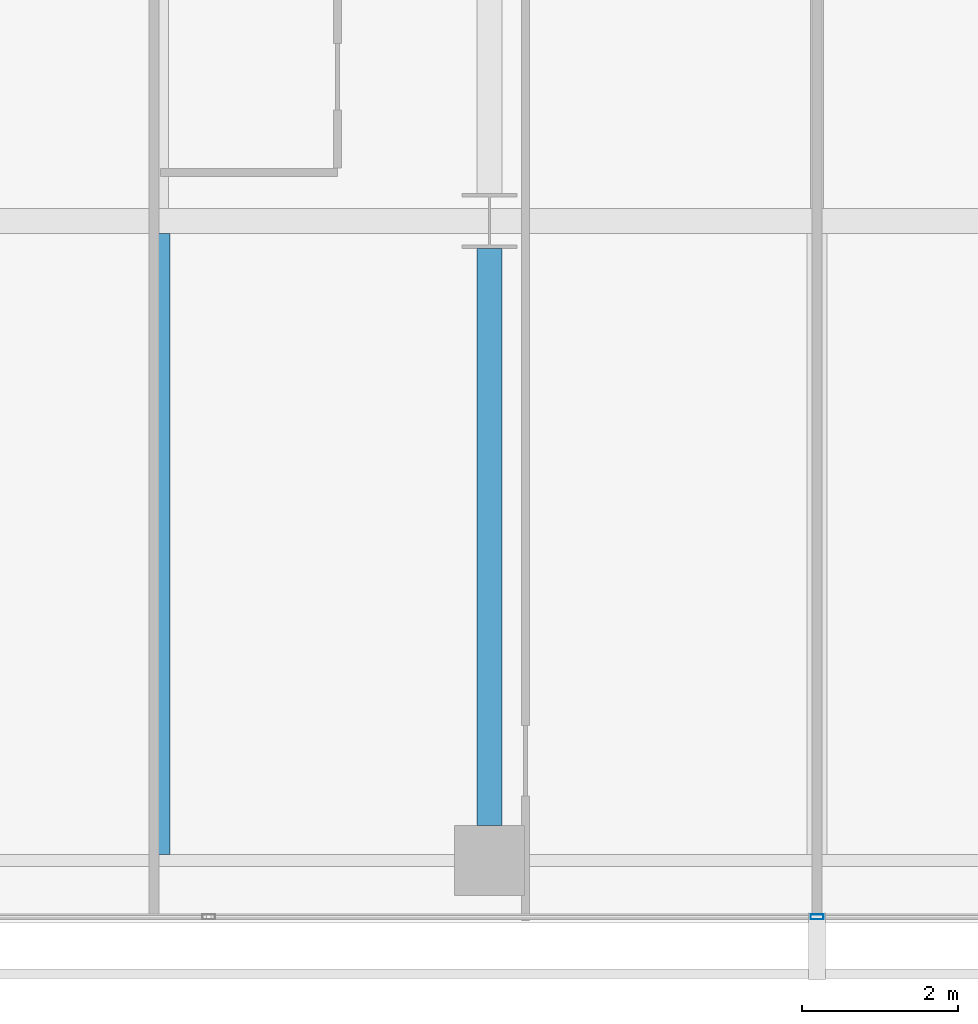
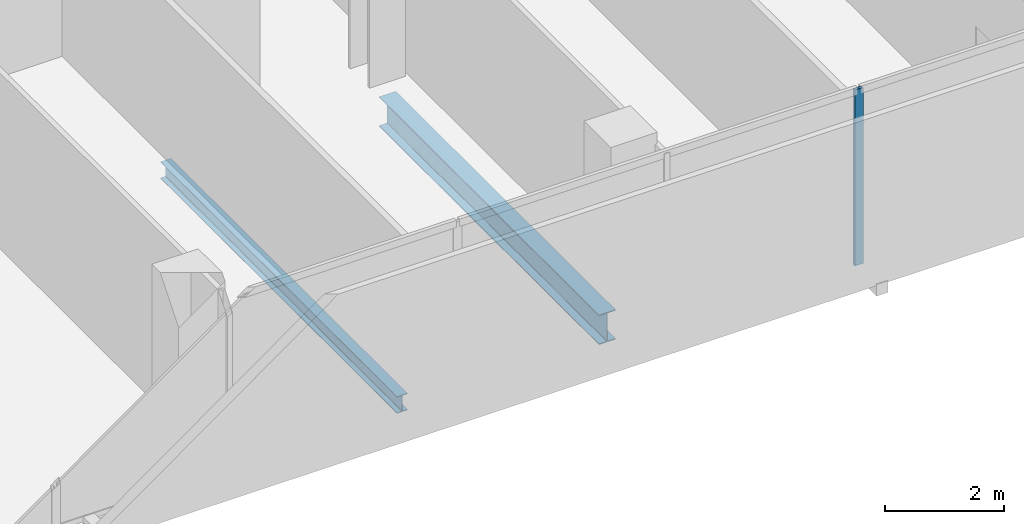
# One storey, part 8 of 40: 2 beams, 1 member, 1 element without a shape of its own.
"""IFC4 building model written with IfcOpenShell, lengths in metres."""

from ifc_helpers import new_model, si_unit, direction, frame, origin, origin_2d, place, context, subcontext, project, spatial, hollow_rectangle, i_section, extrude, material, layer, layer_set, material_profile, profile_set, type_object, element, aggregate, save


model = new_model("IFC4")

# Units and contexts
model_context = context("Model", 3, precision=1e-05, world=origin(), true_north=direction((0.0, 1.0)))
body_context = subcontext(model_context, "Body", "Model", "MODEL_VIEW")
ifc_project = project(units=[si_unit("LENGTHUNIT", "METRE"), si_unit("AREAUNIT", "SQUARE_METRE"), si_unit("VOLUMEUNIT", "CUBIC_METRE"), si_unit("PLANEANGLEUNIT", "RADIAN"), si_unit("MASSUNIT", "GRAM", prefix="KILO")], contexts=[model_context])

# Site, building, storey
site_placement = place(None, origin())
site = spatial("IfcSite", under=ifc_project, at=site_placement, CompositionType="ELEMENT")
building_placement = place(site_placement, origin())
building = spatial("IfcBuilding", under=site, at=building_placement, Name="Maruvema Waterfront Hotel and Observation Tower", CompositionType="ELEMENT")
storey_placement = place(building_placement, frame((0.0, 0.0, 88.550048828125)))
storey = spatial("IfcBuildingStorey", under=building, at=storey_placement, Name="L21", CompositionType="ELEMENT", Elevation=88.550048828125)

# Curtain wall, member
ifc_material_1 = material(Name="Anodised bronze aluminium and solar-control low-E IGU", Category="aluminium")
ifc_layer = layer(ifc_material_1, 0.159912109375, Name="Zone 1 Bronze Inner Thermal Curtain Wall System CW-02")
ifc_layer_set = layer_set([ifc_layer], Name="Anodised bronze aluminium and solar-control low-E IGU")
curtain_wall_type = type_object("IfcCurtainWallType", Name="Zone 1 Bronze Inner Thermal Curtain Wall System CW-02", PredefinedType="USERDEFINED", material=ifc_layer_set)
curtain_wall_placement = place(storey_placement, origin())
curtain_wall = element("IfcCurtainWall", 1, at=curtain_wall_placement, inside=storey, type_object=curtain_wall_type, Name="L21 Curtain Wall CW-L21-S", ObjectType="UNITISED CURTAIN WALL", PredefinedType="USERDEFINED")
ifc_material_2 = material(Name="Anodised architectural bronze aluminium", Category="aluminium")
ifc_material_profile_1 = material_profile(ifc_material_2, hollow_rectangle(XDim=0.06494140625, YDim=0.1650390625, WallThickness=0.00390625, at=origin_2d()), Name="ALU-M65x165")
ifc_profile_set_1 = profile_set([ifc_material_profile_1], Name="Anodised architectural bronze aluminium")
member_type = type_object("IfcMemberType", Name="Curtain Wall Primary Mullion ALU-M65x165", PredefinedType="MULLION", material=ifc_profile_set_1)
member_placement = place(storey_placement, frame((37.800048828125, 0.080078125, 0.0), z_axis=(0.0, 0.0, 1.0), x_axis=(0.0, 1.0, 0.0)))
member = element("IfcMember", 2, at=member_placement, type_object=member_type, Name="CW-02 mullion 4", PredefinedType="MULLION", context=body_context, shape_type="SweptSolid", body=[
    extrude(hollow_rectangle(XDim=0.06494140625, YDim=0.1650390625, WallThickness=0.00390625, at=origin_2d()), origin(), (0.0, 0.0, 1.0), 3.60986328125),
])
aggregate(curtain_wall, [member])

# Beams
ifc_material_3 = material(Name="Steel ASTM A572 Grade 50", Category="steel")
ifc_material_profile_2 = material_profile(ifc_material_3, i_section(OverallWidth=0.323974609375, OverallDepth=0.611083984375, WebThickness=0.0126953125, FlangeThickness=0.01904296875, FilletRadius=0.01806640625, at=origin_2d()), Name="W610x155.0")
ifc_profile_set_2 = profile_set([ifc_material_profile_2], Name="Steel ASTM A572 Grade 50")
beam_type_1 = type_object("IfcBeamType", Name="Primary Floor Girder W610x155.0", PredefinedType="BEAM", material=ifc_profile_set_2)
beam_1_placement = place(storey_placement, frame((33.60009765625, 1.25, -0.545654296875), z_axis=(0.0, 1.0, 0.0), x_axis=(-1.0, 0.0, 0.0)))
element("IfcBeam", 3, at=beam_1_placement, inside=storey, type_object=beam_type_1, Name="L21 Floor Girder NS-16", PredefinedType="BEAM", context=body_context, shape_type="SweptSolid", body=[
    extrude(i_section(OverallWidth=0.323974609375, OverallDepth=0.611083984375, WebThickness=0.0126953125, FlangeThickness=0.01904296875, FilletRadius=0.01806640625, at=origin_2d()), origin(), (0.0, 0.0, 1.0), 7.39990234375),
])
ifc_material_4 = material(Name="Steel ASTM A572 Grade 50", Category="steel")
ifc_material_profile_3 = material_profile(ifc_material_4, i_section(OverallWidth=0.202880859375, OverallDepth=0.346923828125, WebThickness=0.0078125, FlangeThickness=0.013427734375, FilletRadius=0.014892578125, at=origin_2d()), Name="W360x64.0")
ifc_profile_set_3 = profile_set([ifc_material_profile_3], Name="Steel ASTM A572 Grade 50")
beam_type_2 = type_object("IfcBeamType", Name="Secondary Floor Joist W360x64.0", PredefinedType="JOIST", material=ifc_profile_set_3)
beam_2_placement = place(storey_placement, frame((29.39990234375, 0.87646484375, -0.41357421875), z_axis=(0.0, 1.0, 0.0), x_axis=(-1.0, 0.0, 0.0)))
element("IfcBeam", 4, at=beam_2_placement, inside=storey, type_object=beam_type_2, Name="L21 Secondary Floor Joist JS-10", PredefinedType="JOIST", context=body_context, shape_type="SweptSolid", body=[
    extrude(i_section(OverallWidth=0.202880859375, OverallDepth=0.346923828125, WebThickness=0.0078125, FlangeThickness=0.013427734375, FilletRadius=0.014892578125, at=origin_2d()), origin(), (0.0, 0.0, 1.0), 7.96142578125),
])

save(model, "model.ifc")
